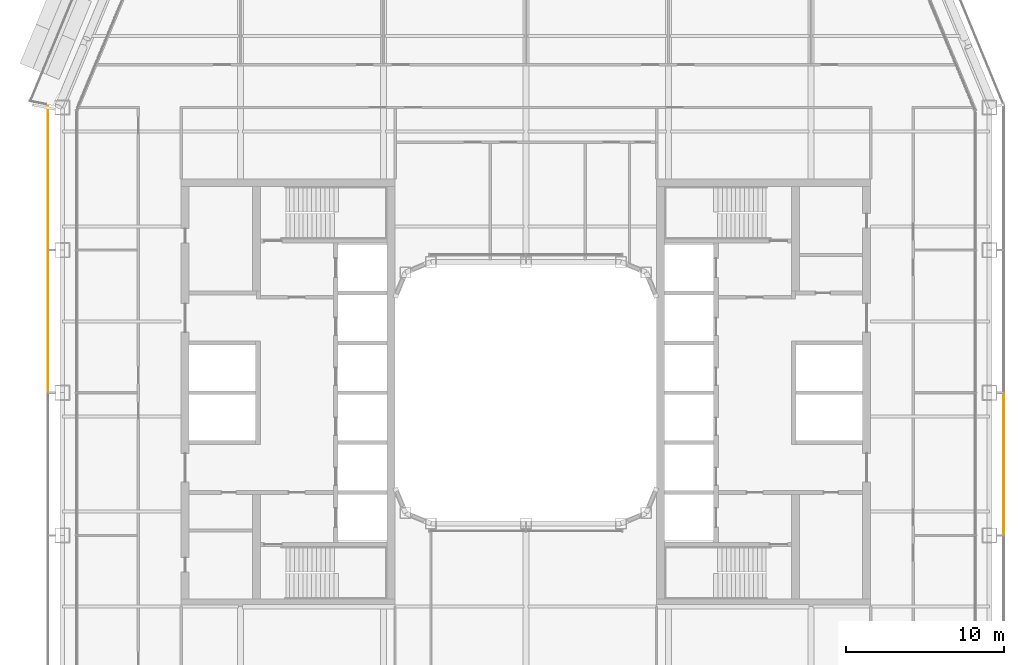
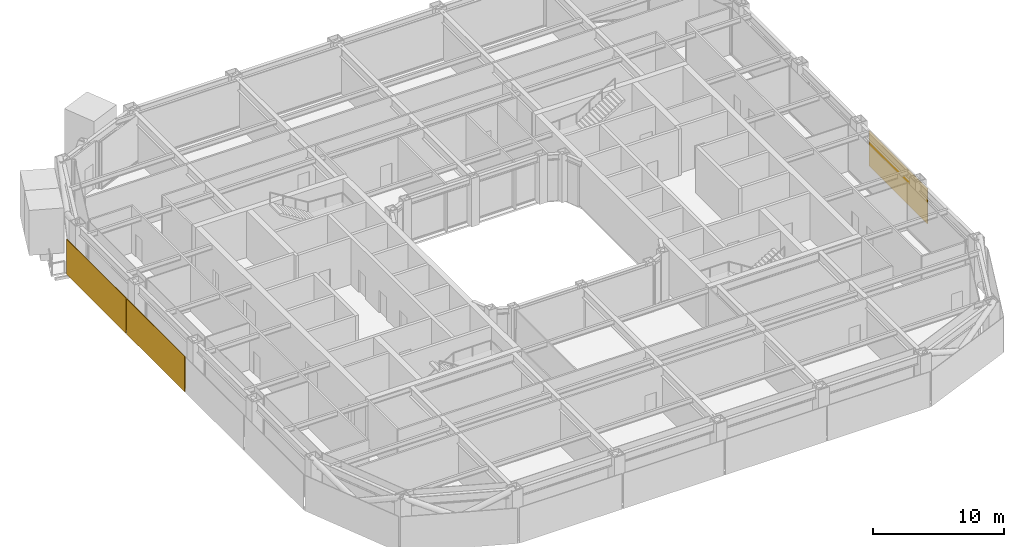
# One storey, part 20 of 23: 3 coverings.
"""IFC4 building model written with IfcOpenShell, lengths in metres."""

from ifc_helpers import new_model, si_unit, direction, frame, origin, origin_2d, place, context, subcontext, project, spatial, rectangle, extrude, material, layer, layer_set, type_object, element, save


model = new_model("IFC4")

# Units and contexts
model_context = context("Model", 3, precision=1e-05, world=origin(), true_north=direction((0.0, 1.0)))
body_context = subcontext(model_context, "Body", "Model", "MODEL_VIEW")
ifc_project = project(units=[si_unit("LENGTHUNIT", "METRE"), si_unit("AREAUNIT", "SQUARE_METRE"), si_unit("VOLUMEUNIT", "CUBIC_METRE"), si_unit("PLANEANGLEUNIT", "RADIAN"), si_unit("MASSUNIT", "GRAM", prefix="KILO")], contexts=[model_context])

# Site, building, storey
site_placement = place(None, origin())
site = spatial("IfcSite", under=ifc_project, at=site_placement, CompositionType="ELEMENT")
building_placement = place(site_placement, origin())
building = spatial("IfcBuilding", under=site, at=building_placement, Name="Siwar Civic Tower", CompositionType="ELEMENT")
storey_placement = place(building_placement, frame((0.0, 0.0, 118.199951171875)))
storey = spatial("IfcBuildingStorey", under=building, at=storey_placement, Name="L25", CompositionType="ELEMENT", Elevation=118.199951171875)

# Coverings
ifc_material_1 = material(Name="Perforated aluminium cassette, pale metal", Category="aluminium")
ifc_layer_1 = layer(ifc_material_1, 0.0400390625)
ifc_layer_set_1 = layer_set([ifc_layer_1], Name="Perforated aluminium cassette, pale metal")
covering_type_1 = type_object("IfcCoveringType", Name="ENV-OUTER SKIN OS-1", PredefinedType="CLADDING", material=ifc_layer_set_1)
covering_1_placement = place(storey_placement, frame((30.14990234375, -4.5, -0.14990234375), z_axis=(0.0, 0.0, 1.0), x_axis=(0.0, 1.0, 0.0)))
element("IfcCovering", 1, at=covering_1_placement, inside=storey, type_object=covering_type_1, Name="OUTER SKIN OS-1 E 2", PredefinedType="CLADDING", context=body_context, shape_type="SweptSolid", body=[
    extrude(rectangle(XDim=8.89990234375, YDim=0.0400390625, at=origin_2d()), origin(), (0.0, 0.0, 1.0), 3.300048828125),
])
ifc_material_2 = material(Name="Perforated aluminium cassette, pale metal", Category="aluminium")
ifc_layer_2 = layer(ifc_material_2, 0.050048828125)
ifc_layer_set_2 = layer_set([ifc_layer_2], Name="Perforated aluminium cassette, pale metal")
covering_type_2 = type_object("IfcCoveringType", Name="ENV-OUTER SKIN OS-3", PredefinedType="CLADDING", material=ifc_layer_set_2)
covering_2_placement = place(storey_placement, frame((-30.14990234375, 13.57958984375, -0.14990234375), z_axis=(0.0, 0.0, 1.0), x_axis=(0.0, -1.0, 0.0)))
element("IfcCovering", 2, at=covering_2_placement, inside=storey, type_object=covering_type_2, Name="OUTER SKIN OS-3 W 1", PredefinedType="CLADDING", context=body_context, shape_type="SweptSolid", body=[
    extrude(rectangle(XDim=9.05908203125, YDim=0.050048828125, at=origin_2d()), origin(), (0.0, 0.0, 1.0), 3.300048828125),
])
covering_3_placement = place(storey_placement, frame((-30.14990234375, 4.5, -0.14990234375), z_axis=(0.0, 0.0, 1.0), x_axis=(0.0, -1.0, 0.0)))
element("IfcCovering", 3, at=covering_3_placement, inside=storey, type_object=covering_type_2, Name="OUTER SKIN OS-3 W 2", PredefinedType="CLADDING", context=body_context, shape_type="SweptSolid", body=[
    extrude(rectangle(XDim=8.89990234375, YDim=0.050048828125, at=origin_2d()), origin(), (0.0, 0.0, 1.0), 3.300048828125),
])

save(model, "model.ifc")
